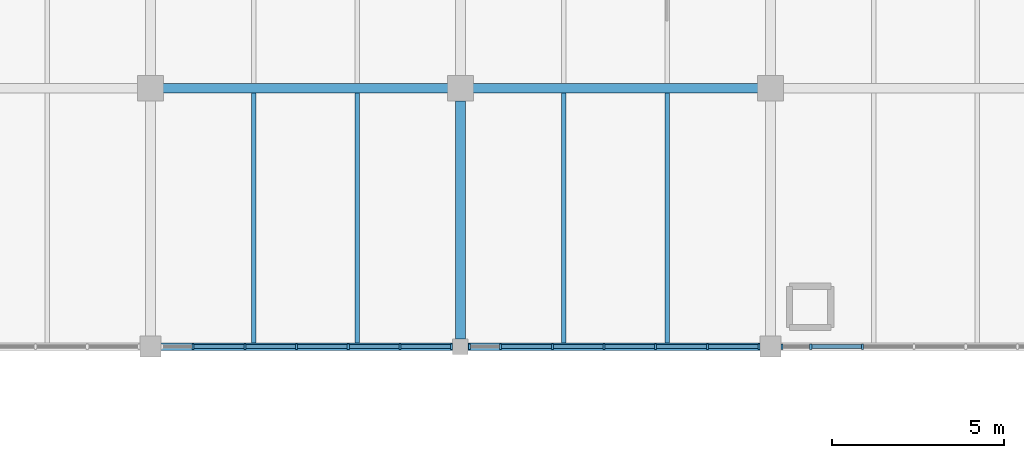
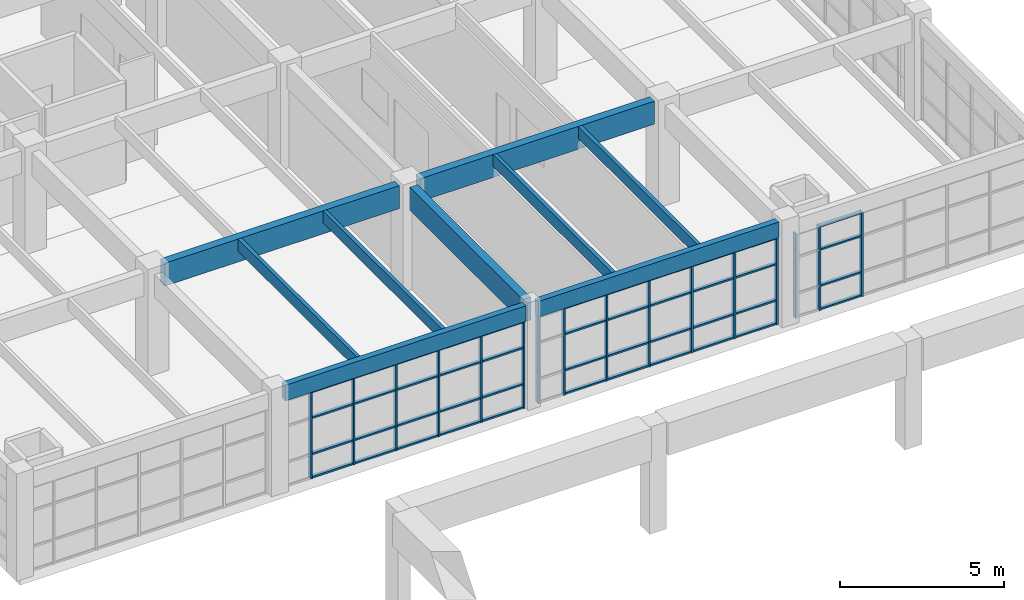
# One storey, part 23 of 76: 60 members, 9 beams, 3 elements without a shape of their own.
"""IFC4 building model written with IfcOpenShell, lengths in metres."""

from ifc_helpers import new_model, si_unit, direction, frame, origin, origin_2d, place, context, subcontext, project, spatial, rectangle, extrude, material, layer, layer_set, material_profile, profile_set, type_object, element, aggregate, save


model = new_model("IFC4")

# Units and contexts
model_context = context("Model", 3, precision=1e-05, world=origin(), true_north=direction((0.0, 1.0)))
body_context = subcontext(model_context, "Body", "Model", "MODEL_VIEW")
ifc_project = project(units=[si_unit("LENGTHUNIT", "METRE"), si_unit("AREAUNIT", "SQUARE_METRE"), si_unit("VOLUMEUNIT", "CUBIC_METRE"), si_unit("PLANEANGLEUNIT", "RADIAN"), si_unit("MASSUNIT", "GRAM", prefix="KILO")], contexts=[model_context])

# Site, building, storey
site_placement = place(None, origin())
site = spatial("IfcSite", under=ifc_project, at=site_placement, CompositionType="ELEMENT")
building_placement = place(site_placement, origin())
building = spatial("IfcBuilding", under=site, at=building_placement, Name="Marnridge Secondary College", CompositionType="ELEMENT")
storey_placement = place(building_placement, frame((0.0, 0.0, 4.5)))
storey = spatial("IfcBuildingStorey", under=building, at=storey_placement, Name="L01", CompositionType="ELEMENT", Elevation=4.5)

# Beams
ifc_material_1 = material(Name="Glulam timber GL18", Category="wood")
ifc_material_profile_1 = material_profile(ifc_material_1, rectangle(XDim=0.215087890625, YDim=0.5849609375, at=origin_2d()), Name="GL18 215x585")
ifc_profile_set_1 = profile_set([ifc_material_profile_1], Name="Glulam timber GL18")
beam_type_1 = type_object("IfcBeamType", Name="BM-GL585-EXT", PredefinedType="SPANDREL", material=ifc_profile_set_1)
for number, where, z_axis, x_axis, name in (
    (1, (63.2939453125, 37.5, 3.547607421875), (1.0, 0.0, 0.0), (0.0, 1.0, 0.0), "Beam BS-L01-0468"),
    (2, (72.218994140625, 37.5, 3.547607421875), (1.0, 0.0, 0.0), (0.0, 1.0, 0.0), "Beam BS-L01-0472"),
):
    element("IfcBeam", number, at=place(storey_placement, frame(where, z_axis=z_axis, x_axis=x_axis)), inside=storey, type_object=beam_type_1, Name=name, PredefinedType="SPANDREL", context=body_context, shape_type="SweptSolid", body=[
        extrude(rectangle(XDim=0.215087890625, YDim=0.5849609375, at=origin_2d()), origin(), (0.0, 0.0, 1.0), 8.487060546875),
    ])
ifc_material_2 = material(Name="Glulam timber GL18", Category="wood")
ifc_material_profile_2 = material_profile(ifc_material_2, rectangle(XDim=0.280029296875, YDim=0.85498046875, at=origin_2d()), Name="GL18 280x855")
ifc_profile_set_2 = profile_set([ifc_material_profile_2], Name="Glulam timber GL18")
beam_type_2 = type_object("IfcBeamType", Name="BM-GL855-INT", PredefinedType="BEAM", material=ifc_profile_set_2)
beam_1_placement = place(storey_placement, frame((63.368896484375, 45.0, 3.41259765625), z_axis=(1.0, 0.0, 0.0), x_axis=(0.0, 1.0, 0.0)))
element("IfcBeam", 3, at=beam_1_placement, inside=storey, type_object=beam_type_2, Name="Beam B-L01-0469", PredefinedType="BEAM", context=body_context, shape_type="SweptSolid", body=[
    extrude(rectangle(XDim=0.280029296875, YDim=0.85498046875, at=origin_2d()), origin(), (0.0, 0.0, 1.0), 8.26220703125),
])
beam_2_placement = place(storey_placement, frame((72.0, 37.718994140625, 3.41259765625), z_axis=(0.0, 1.0, 0.0), x_axis=(-1.0, 0.0, 0.0)))
element("IfcBeam", 4, at=beam_2_placement, inside=storey, type_object=beam_type_2, Name="Beam B-L01-0470", PredefinedType="BEAM", context=body_context, shape_type="SweptSolid", body=[
    extrude(rectangle(XDim=0.280029296875, YDim=0.85498046875, at=origin_2d()), origin(), (0.0, 0.0, 1.0), 6.912109375),
])
beam_3_placement = place(storey_placement, frame((72.368896484375, 45.0, 3.41259765625), z_axis=(1.0, 0.0, 0.0), x_axis=(0.0, 1.0, 0.0)))
element("IfcBeam", 5, at=beam_3_placement, inside=storey, type_object=beam_type_2, Name="Beam B-L01-0473", PredefinedType="BEAM", context=body_context, shape_type="SweptSolid", body=[
    extrude(rectangle(XDim=0.280029296875, YDim=0.85498046875, at=origin_2d()), origin(), (0.0, 0.0, 1.0), 8.26220703125),
])
ifc_material_3 = material(Name="Engineered timber LVL E13.2", Category="wood")
ifc_material_profile_3 = material_profile(ifc_material_3, rectangle(XDim=0.1259765625, YDim=0.449951171875, at=origin_2d()), Name="LVL 126x450")
ifc_profile_set_3 = profile_set([ifc_material_profile_3], Name="Engineered timber LVL E13.2")
beam_type_3 = type_object("IfcBeamType", Name="BM-LVL450-INT", PredefinedType="JOIST", material=ifc_profile_set_3)
for number, where, z_axis, x_axis, name in (
    (6, (66.0, 37.6015625, 3.614990234375), (0.0, 1.0, 0.0), (-1.0, 0.0, 0.0), "Beam BJ-L01-0509"),
    (7, (69.0, 37.6015625, 3.614990234375), (0.0, 1.0, 0.0), (-1.0, 0.0, 0.0), "Beam BJ-L01-0510"),
    (8, (75.0, 37.6015625, 3.614990234375), (0.0, 1.0, 0.0), (-1.0, 0.0, 0.0), "Beam BJ-L01-0513"),
    (9, (78.0, 37.6015625, 3.614990234375), (0.0, 1.0, 0.0), (-1.0, 0.0, 0.0), "Beam BJ-L01-0514"),
):
    element("IfcBeam", number, at=place(storey_placement, frame(where, z_axis=z_axis, x_axis=x_axis)), inside=storey, type_object=beam_type_3, Name=name, PredefinedType="JOIST", context=body_context, shape_type="SweptSolid", body=[
        extrude(rectangle(XDim=0.1259765625, YDim=0.449951171875, at=origin_2d()), origin(), (0.0, 0.0, 1.0), 7.264404296875),
    ])

# Curtain wall, members
ifc_material_4 = material(Name="Thermally broken aluminium and low-E glazing", Category="aluminium")
ifc_layer = layer(ifc_material_4, 0.159912109375)
ifc_layer_set = layer_set([ifc_layer], Name="CW-MOD-1500")
curtain_wall_type = type_object("IfcCurtainWallType", Name="CW-MOD-1500", PredefinedType="NOTDEFINED", material=ifc_layer_set)
curtain_wall_1_placement = place(storey_placement, origin())
curtain_wall_1 = element("IfcCurtainWall", 10, at=curtain_wall_1_placement, inside=storey, type_object=curtain_wall_type, Name="Unitised curtain wall CW-L01-035", PredefinedType="NOTDEFINED")
ifc_material_5 = material(Name="Anodised aluminium 6063-T6", Category="aluminium")
ifc_material_profile_4 = material_profile(ifc_material_5, rectangle(XDim=0.06005859375, YDim=0.159912109375, at=origin_2d()), Name="ALU 60x160")
ifc_profile_set_4 = profile_set([ifc_material_profile_4], Name="Anodised aluminium 6063-T6")
member_type_1 = type_object("IfcMemberType", Name="CWM-ALU160", PredefinedType="MULLION", material=ifc_profile_set_4)
member_1_placement = place(storey_placement, frame((83.666015625, 37.5, 0.0), z_axis=(0.0, 0.0, 1.0), x_axis=(-1.0, 0.0, 0.0)))
member_1 = element("IfcMember", 11, at=member_1_placement, type_object=member_type_1, Name="CW-L01-035 mullion 5", PredefinedType="MULLION", context=body_context, shape_type="SweptSolid", body=[
    extrude(rectangle(XDim=0.06005859375, YDim=0.159912109375, at=origin_2d()), origin(), (0.0, 0.0, 1.0), 3.14697265625),
])
member_2_placement = place(storey_placement, frame((82.166015625, 37.5, 0.0), z_axis=(0.0, 0.0, 1.0), x_axis=(-1.0, 0.0, 0.0)))
member_2 = element("IfcMember", 12, at=member_2_placement, type_object=member_type_1, Name="CW-L01-035 mullion 6", PredefinedType="MULLION", context=body_context, shape_type="SweptSolid", body=[
    extrude(rectangle(XDim=0.06005859375, YDim=0.159912109375, at=origin_2d()), origin(), (0.0, 0.0, 1.0), 3.14697265625),
])
member_3_placement = place(storey_placement, frame((81.333984375, 37.5, 0.0), z_axis=(0.0, 0.0, 1.0), x_axis=(-1.0, 0.0, 0.0)))
member_3 = element("IfcMember", 13, at=member_3_placement, type_object=member_type_1, Name="CW-L01-035 mullion 7", PredefinedType="MULLION", context=body_context, shape_type="SweptSolid", body=[
    extrude(rectangle(XDim=0.06005859375, YDim=0.159912109375, at=origin_2d()), origin(), (0.0, 0.0, 1.0), 3.14697265625),
])

curtain_wall_2_placement = place(storey_placement, origin())
curtain_wall_2 = element("IfcCurtainWall", 14, at=curtain_wall_2_placement, inside=storey, type_object=curtain_wall_type, Name="Unitised curtain wall CW-L01-036", PredefinedType="NOTDEFINED")
member_4_placement = place(storey_placement, frame((80.666015625, 37.5, 0.0), z_axis=(0.0, 0.0, 1.0), x_axis=(-1.0, 0.0, 0.0)))
member_4 = element("IfcMember", 15, at=member_4_placement, type_object=member_type_1, Name="CW-L01-036 mullion 1", PredefinedType="MULLION", context=body_context, shape_type="SweptSolid", body=[
    extrude(rectangle(XDim=0.06005859375, YDim=0.159912109375, at=origin_2d()), origin(), (0.0, 0.0, 1.0), 3.2470703125),
])
member_5_placement = place(storey_placement, frame((79.166015625, 37.5, 0.0), z_axis=(0.0, 0.0, 1.0), x_axis=(-1.0, 0.0, 0.0)))
member_5 = element("IfcMember", 16, at=member_5_placement, type_object=member_type_1, Name="CW-L01-036 mullion 2", PredefinedType="MULLION", context=body_context, shape_type="SweptSolid", body=[
    extrude(rectangle(XDim=0.06005859375, YDim=0.159912109375, at=origin_2d()), origin(), (0.0, 0.0, 1.0), 3.2470703125),
])
member_6_placement = place(storey_placement, frame((77.666015625, 37.5, 0.0), z_axis=(0.0, 0.0, 1.0), x_axis=(-1.0, 0.0, 0.0)))
member_6 = element("IfcMember", 17, at=member_6_placement, type_object=member_type_1, Name="CW-L01-036 mullion 3", PredefinedType="MULLION", context=body_context, shape_type="SweptSolid", body=[
    extrude(rectangle(XDim=0.06005859375, YDim=0.159912109375, at=origin_2d()), origin(), (0.0, 0.0, 1.0), 3.2470703125),
])
member_7_placement = place(storey_placement, frame((76.166015625, 37.5, 0.0), z_axis=(0.0, 0.0, 1.0), x_axis=(-1.0, 0.0, 0.0)))
member_7 = element("IfcMember", 18, at=member_7_placement, type_object=member_type_1, Name="CW-L01-036 mullion 4", PredefinedType="MULLION", context=body_context, shape_type="SweptSolid", body=[
    extrude(rectangle(XDim=0.06005859375, YDim=0.159912109375, at=origin_2d()), origin(), (0.0, 0.0, 1.0), 3.2470703125),
])
member_8_placement = place(storey_placement, frame((74.666015625, 37.5, 0.0), z_axis=(0.0, 0.0, 1.0), x_axis=(-1.0, 0.0, 0.0)))
member_8 = element("IfcMember", 19, at=member_8_placement, type_object=member_type_1, Name="CW-L01-036 mullion 5", PredefinedType="MULLION", context=body_context, shape_type="SweptSolid", body=[
    extrude(rectangle(XDim=0.06005859375, YDim=0.159912109375, at=origin_2d()), origin(), (0.0, 0.0, 1.0), 3.2470703125),
])
member_9_placement = place(storey_placement, frame((73.166015625, 37.5, 0.0), z_axis=(0.0, 0.0, 1.0), x_axis=(-1.0, 0.0, 0.0)))
member_9 = element("IfcMember", 20, at=member_9_placement, type_object=member_type_1, Name="CW-L01-036 mullion 6", PredefinedType="MULLION", context=body_context, shape_type="SweptSolid", body=[
    extrude(rectangle(XDim=0.06005859375, YDim=0.159912109375, at=origin_2d()), origin(), (0.0, 0.0, 1.0), 3.2470703125),
])
member_10_placement = place(storey_placement, frame((72.259033203125, 37.5, 0.0), z_axis=(0.0, 0.0, 1.0), x_axis=(-1.0, 0.0, 0.0)))
member_10 = element("IfcMember", 21, at=member_10_placement, type_object=member_type_1, Name="CW-L01-036 mullion 7", PredefinedType="MULLION", context=body_context, shape_type="SweptSolid", body=[
    extrude(rectangle(XDim=0.06005859375, YDim=0.159912109375, at=origin_2d()), origin(), (0.0, 0.0, 1.0), 3.2470703125),
])

curtain_wall_3_placement = place(storey_placement, origin())
curtain_wall_3 = element("IfcCurtainWall", 22, at=curtain_wall_3_placement, inside=storey, type_object=curtain_wall_type, Name="Unitised curtain wall CW-L01-037", PredefinedType="NOTDEFINED")
member_11_placement = place(storey_placement, frame((71.740966796875, 37.5, 0.0), z_axis=(0.0, 0.0, 1.0), x_axis=(-1.0, 0.0, 0.0)))
member_11 = element("IfcMember", 23, at=member_11_placement, type_object=member_type_1, Name="CW-L01-037 mullion 1", PredefinedType="MULLION", context=body_context, shape_type="SweptSolid", body=[
    extrude(rectangle(XDim=0.06005859375, YDim=0.159912109375, at=origin_2d()), origin(), (0.0, 0.0, 1.0), 3.2470703125),
])
member_12_placement = place(storey_placement, frame((70.240966796875, 37.5, 0.0), z_axis=(0.0, 0.0, 1.0), x_axis=(-1.0, 0.0, 0.0)))
member_12 = element("IfcMember", 24, at=member_12_placement, type_object=member_type_1, Name="CW-L01-037 mullion 2", PredefinedType="MULLION", context=body_context, shape_type="SweptSolid", body=[
    extrude(rectangle(XDim=0.06005859375, YDim=0.159912109375, at=origin_2d()), origin(), (0.0, 0.0, 1.0), 3.2470703125),
])
member_13_placement = place(storey_placement, frame((68.740966796875, 37.5, 0.0), z_axis=(0.0, 0.0, 1.0), x_axis=(-1.0, 0.0, 0.0)))
member_13 = element("IfcMember", 25, at=member_13_placement, type_object=member_type_1, Name="CW-L01-037 mullion 3", PredefinedType="MULLION", context=body_context, shape_type="SweptSolid", body=[
    extrude(rectangle(XDim=0.06005859375, YDim=0.159912109375, at=origin_2d()), origin(), (0.0, 0.0, 1.0), 3.2470703125),
])
member_14_placement = place(storey_placement, frame((67.240966796875, 37.5, 0.0), z_axis=(0.0, 0.0, 1.0), x_axis=(-1.0, 0.0, 0.0)))
member_14 = element("IfcMember", 26, at=member_14_placement, type_object=member_type_1, Name="CW-L01-037 mullion 4", PredefinedType="MULLION", context=body_context, shape_type="SweptSolid", body=[
    extrude(rectangle(XDim=0.06005859375, YDim=0.159912109375, at=origin_2d()), origin(), (0.0, 0.0, 1.0), 3.2470703125),
])
member_15_placement = place(storey_placement, frame((65.740966796875, 37.5, 0.0), z_axis=(0.0, 0.0, 1.0), x_axis=(-1.0, 0.0, 0.0)))
member_15 = element("IfcMember", 27, at=member_15_placement, type_object=member_type_1, Name="CW-L01-037 mullion 5", PredefinedType="MULLION", context=body_context, shape_type="SweptSolid", body=[
    extrude(rectangle(XDim=0.06005859375, YDim=0.159912109375, at=origin_2d()), origin(), (0.0, 0.0, 1.0), 3.2470703125),
])
member_16_placement = place(storey_placement, frame((64.240966796875, 37.5, 0.0), z_axis=(0.0, 0.0, 1.0), x_axis=(-1.0, 0.0, 0.0)))
member_16 = element("IfcMember", 28, at=member_16_placement, type_object=member_type_1, Name="CW-L01-037 mullion 6", PredefinedType="MULLION", context=body_context, shape_type="SweptSolid", body=[
    extrude(rectangle(XDim=0.06005859375, YDim=0.159912109375, at=origin_2d()), origin(), (0.0, 0.0, 1.0), 3.2470703125),
])

# Member
ifc_material_6 = material(Name="Anodised aluminium 6063-T6", Category="aluminium")
ifc_material_profile_5 = material_profile(ifc_material_6, rectangle(XDim=0.06005859375, YDim=0.1201171875, at=origin_2d()), Name="ALU 60x120")
ifc_profile_set_5 = profile_set([ifc_material_profile_5], Name="Anodised aluminium 6063-T6")
member_type_2 = type_object("IfcMemberType", Name="CWT-ALU120", PredefinedType="USERDEFINED", material=ifc_profile_set_5)
member_17_placement = place(storey_placement, frame((83.635986328125, 37.5, 0.030029296875), z_axis=(-1.0, 0.0, 0.0), x_axis=(0.0, 0.0, 1.0)))
member_17 = element("IfcMember", 29, at=member_17_placement, type_object=member_type_2, Name="CW-L01-035 transom 5.1", ObjectType="TRANSOM", PredefinedType="USERDEFINED", context=body_context, shape_type="SweptSolid", body=[
    extrude(rectangle(XDim=0.06005859375, YDim=0.1201171875, at=origin_2d()), origin(), (0.0, 0.0, 1.0), 1.43994140625),
])

member_18_placement = place(storey_placement, frame((83.635986328125, 37.5, 0.89990234375), z_axis=(-1.0, 0.0, 0.0), x_axis=(0.0, 0.0, 1.0)))
member_18 = element("IfcMember", 30, at=member_18_placement, type_object=member_type_2, Name="CW-L01-035 transom 5.2", ObjectType="TRANSOM", PredefinedType="USERDEFINED", context=body_context, shape_type="SweptSolid", body=[
    extrude(rectangle(XDim=0.06005859375, YDim=0.1201171875, at=origin_2d()), origin(), (0.0, 0.0, 1.0), 1.43994140625),
])

member_19_placement = place(storey_placement, frame((83.635986328125, 37.5, 2.25), z_axis=(-1.0, 0.0, 0.0), x_axis=(0.0, 0.0, 1.0)))
member_19 = element("IfcMember", 31, at=member_19_placement, type_object=member_type_2, Name="CW-L01-035 transom 5.3", ObjectType="TRANSOM", PredefinedType="USERDEFINED", context=body_context, shape_type="SweptSolid", body=[
    extrude(rectangle(XDim=0.06005859375, YDim=0.1201171875, at=origin_2d()), origin(), (0.0, 0.0, 1.0), 1.43994140625),
])

member_20_placement = place(storey_placement, frame((83.635986328125, 37.5, 3.116943359375), z_axis=(-1.0, 0.0, 0.0), x_axis=(0.0, 0.0, 1.0)))
member_20 = element("IfcMember", 32, at=member_20_placement, type_object=member_type_2, Name="CW-L01-035 transom 5.4", ObjectType="TRANSOM", PredefinedType="USERDEFINED", context=body_context, shape_type="SweptSolid", body=[
    extrude(rectangle(XDim=0.06005859375, YDim=0.1201171875, at=origin_2d()), origin(), (0.0, 0.0, 1.0), 1.43994140625),
])

aggregate(curtain_wall_1, [member_1, member_2, member_3, member_17, member_18, member_19, member_20])

member_21_placement = place(storey_placement, frame((80.635986328125, 37.5, 0.030029296875), z_axis=(-1.0, 0.0, 0.0), x_axis=(0.0, 0.0, 1.0)))
member_21 = element("IfcMember", 33, at=member_21_placement, type_object=member_type_2, Name="CW-L01-036 transom 1.1", ObjectType="TRANSOM", PredefinedType="USERDEFINED", context=body_context, shape_type="SweptSolid", body=[
    extrude(rectangle(XDim=0.06005859375, YDim=0.1201171875, at=origin_2d()), origin(), (0.0, 0.0, 1.0), 1.43994140625),
])

member_22_placement = place(storey_placement, frame((80.635986328125, 37.5, 0.89990234375), z_axis=(-1.0, 0.0, 0.0), x_axis=(0.0, 0.0, 1.0)))
member_22 = element("IfcMember", 34, at=member_22_placement, type_object=member_type_2, Name="CW-L01-036 transom 1.2", ObjectType="TRANSOM", PredefinedType="USERDEFINED", context=body_context, shape_type="SweptSolid", body=[
    extrude(rectangle(XDim=0.06005859375, YDim=0.1201171875, at=origin_2d()), origin(), (0.0, 0.0, 1.0), 1.43994140625),
])

member_23_placement = place(storey_placement, frame((80.635986328125, 37.5, 2.25), z_axis=(-1.0, 0.0, 0.0), x_axis=(0.0, 0.0, 1.0)))
member_23 = element("IfcMember", 35, at=member_23_placement, type_object=member_type_2, Name="CW-L01-036 transom 1.3", ObjectType="TRANSOM", PredefinedType="USERDEFINED", context=body_context, shape_type="SweptSolid", body=[
    extrude(rectangle(XDim=0.06005859375, YDim=0.1201171875, at=origin_2d()), origin(), (0.0, 0.0, 1.0), 1.43994140625),
])

member_24_placement = place(storey_placement, frame((80.635986328125, 37.5, 3.217041015625), z_axis=(-1.0, 0.0, 0.0), x_axis=(0.0, 0.0, 1.0)))
member_24 = element("IfcMember", 36, at=member_24_placement, type_object=member_type_2, Name="CW-L01-036 transom 1.4", ObjectType="TRANSOM", PredefinedType="USERDEFINED", context=body_context, shape_type="SweptSolid", body=[
    extrude(rectangle(XDim=0.06005859375, YDim=0.1201171875, at=origin_2d()), origin(), (0.0, 0.0, 1.0), 1.43994140625),
])

member_25_placement = place(storey_placement, frame((79.135986328125, 37.5, 0.030029296875), z_axis=(-1.0, 0.0, 0.0), x_axis=(0.0, 0.0, 1.0)))
member_25 = element("IfcMember", 37, at=member_25_placement, type_object=member_type_2, Name="CW-L01-036 transom 2.1", ObjectType="TRANSOM", PredefinedType="USERDEFINED", context=body_context, shape_type="SweptSolid", body=[
    extrude(rectangle(XDim=0.06005859375, YDim=0.1201171875, at=origin_2d()), origin(), (0.0, 0.0, 1.0), 1.43994140625),
])

member_26_placement = place(storey_placement, frame((79.135986328125, 37.5, 0.89990234375), z_axis=(-1.0, 0.0, 0.0), x_axis=(0.0, 0.0, 1.0)))
member_26 = element("IfcMember", 38, at=member_26_placement, type_object=member_type_2, Name="CW-L01-036 transom 2.2", ObjectType="TRANSOM", PredefinedType="USERDEFINED", context=body_context, shape_type="SweptSolid", body=[
    extrude(rectangle(XDim=0.06005859375, YDim=0.1201171875, at=origin_2d()), origin(), (0.0, 0.0, 1.0), 1.43994140625),
])

member_27_placement = place(storey_placement, frame((79.135986328125, 37.5, 2.25), z_axis=(-1.0, 0.0, 0.0), x_axis=(0.0, 0.0, 1.0)))
member_27 = element("IfcMember", 39, at=member_27_placement, type_object=member_type_2, Name="CW-L01-036 transom 2.3", ObjectType="TRANSOM", PredefinedType="USERDEFINED", context=body_context, shape_type="SweptSolid", body=[
    extrude(rectangle(XDim=0.06005859375, YDim=0.1201171875, at=origin_2d()), origin(), (0.0, 0.0, 1.0), 1.43994140625),
])

member_28_placement = place(storey_placement, frame((79.135986328125, 37.5, 3.217041015625), z_axis=(-1.0, 0.0, 0.0), x_axis=(0.0, 0.0, 1.0)))
member_28 = element("IfcMember", 40, at=member_28_placement, type_object=member_type_2, Name="CW-L01-036 transom 2.4", ObjectType="TRANSOM", PredefinedType="USERDEFINED", context=body_context, shape_type="SweptSolid", body=[
    extrude(rectangle(XDim=0.06005859375, YDim=0.1201171875, at=origin_2d()), origin(), (0.0, 0.0, 1.0), 1.43994140625),
])

member_29_placement = place(storey_placement, frame((77.635986328125, 37.5, 0.030029296875), z_axis=(-1.0, 0.0, 0.0), x_axis=(0.0, 0.0, 1.0)))
member_29 = element("IfcMember", 41, at=member_29_placement, type_object=member_type_2, Name="CW-L01-036 transom 3.1", ObjectType="TRANSOM", PredefinedType="USERDEFINED", context=body_context, shape_type="SweptSolid", body=[
    extrude(rectangle(XDim=0.06005859375, YDim=0.1201171875, at=origin_2d()), origin(), (0.0, 0.0, 1.0), 1.43994140625),
])

member_30_placement = place(storey_placement, frame((77.635986328125, 37.5, 0.89990234375), z_axis=(-1.0, 0.0, 0.0), x_axis=(0.0, 0.0, 1.0)))
member_30 = element("IfcMember", 42, at=member_30_placement, type_object=member_type_2, Name="CW-L01-036 transom 3.2", ObjectType="TRANSOM", PredefinedType="USERDEFINED", context=body_context, shape_type="SweptSolid", body=[
    extrude(rectangle(XDim=0.06005859375, YDim=0.1201171875, at=origin_2d()), origin(), (0.0, 0.0, 1.0), 1.43994140625),
])

member_31_placement = place(storey_placement, frame((77.635986328125, 37.5, 2.25), z_axis=(-1.0, 0.0, 0.0), x_axis=(0.0, 0.0, 1.0)))
member_31 = element("IfcMember", 43, at=member_31_placement, type_object=member_type_2, Name="CW-L01-036 transom 3.3", ObjectType="TRANSOM", PredefinedType="USERDEFINED", context=body_context, shape_type="SweptSolid", body=[
    extrude(rectangle(XDim=0.06005859375, YDim=0.1201171875, at=origin_2d()), origin(), (0.0, 0.0, 1.0), 1.43994140625),
])

member_32_placement = place(storey_placement, frame((77.635986328125, 37.5, 3.217041015625), z_axis=(-1.0, 0.0, 0.0), x_axis=(0.0, 0.0, 1.0)))
member_32 = element("IfcMember", 44, at=member_32_placement, type_object=member_type_2, Name="CW-L01-036 transom 3.4", ObjectType="TRANSOM", PredefinedType="USERDEFINED", context=body_context, shape_type="SweptSolid", body=[
    extrude(rectangle(XDim=0.06005859375, YDim=0.1201171875, at=origin_2d()), origin(), (0.0, 0.0, 1.0), 1.43994140625),
])

member_33_placement = place(storey_placement, frame((76.135986328125, 37.5, 0.030029296875), z_axis=(-1.0, 0.0, 0.0), x_axis=(0.0, 0.0, 1.0)))
member_33 = element("IfcMember", 45, at=member_33_placement, type_object=member_type_2, Name="CW-L01-036 transom 4.1", ObjectType="TRANSOM", PredefinedType="USERDEFINED", context=body_context, shape_type="SweptSolid", body=[
    extrude(rectangle(XDim=0.06005859375, YDim=0.1201171875, at=origin_2d()), origin(), (0.0, 0.0, 1.0), 1.43994140625),
])

member_34_placement = place(storey_placement, frame((76.135986328125, 37.5, 0.89990234375), z_axis=(-1.0, 0.0, 0.0), x_axis=(0.0, 0.0, 1.0)))
member_34 = element("IfcMember", 46, at=member_34_placement, type_object=member_type_2, Name="CW-L01-036 transom 4.2", ObjectType="TRANSOM", PredefinedType="USERDEFINED", context=body_context, shape_type="SweptSolid", body=[
    extrude(rectangle(XDim=0.06005859375, YDim=0.1201171875, at=origin_2d()), origin(), (0.0, 0.0, 1.0), 1.43994140625),
])

member_35_placement = place(storey_placement, frame((76.135986328125, 37.5, 2.25), z_axis=(-1.0, 0.0, 0.0), x_axis=(0.0, 0.0, 1.0)))
member_35 = element("IfcMember", 47, at=member_35_placement, type_object=member_type_2, Name="CW-L01-036 transom 4.3", ObjectType="TRANSOM", PredefinedType="USERDEFINED", context=body_context, shape_type="SweptSolid", body=[
    extrude(rectangle(XDim=0.06005859375, YDim=0.1201171875, at=origin_2d()), origin(), (0.0, 0.0, 1.0), 1.43994140625),
])

member_36_placement = place(storey_placement, frame((76.135986328125, 37.5, 3.217041015625), z_axis=(-1.0, 0.0, 0.0), x_axis=(0.0, 0.0, 1.0)))
member_36 = element("IfcMember", 48, at=member_36_placement, type_object=member_type_2, Name="CW-L01-036 transom 4.4", ObjectType="TRANSOM", PredefinedType="USERDEFINED", context=body_context, shape_type="SweptSolid", body=[
    extrude(rectangle(XDim=0.06005859375, YDim=0.1201171875, at=origin_2d()), origin(), (0.0, 0.0, 1.0), 1.43994140625),
])

member_37_placement = place(storey_placement, frame((74.635986328125, 37.5, 0.030029296875), z_axis=(-1.0, 0.0, 0.0), x_axis=(0.0, 0.0, 1.0)))
member_37 = element("IfcMember", 49, at=member_37_placement, type_object=member_type_2, Name="CW-L01-036 transom 5.1", ObjectType="TRANSOM", PredefinedType="USERDEFINED", context=body_context, shape_type="SweptSolid", body=[
    extrude(rectangle(XDim=0.06005859375, YDim=0.1201171875, at=origin_2d()), origin(), (0.0, 0.0, 1.0), 1.43994140625),
])

member_38_placement = place(storey_placement, frame((74.635986328125, 37.5, 0.89990234375), z_axis=(-1.0, 0.0, 0.0), x_axis=(0.0, 0.0, 1.0)))
member_38 = element("IfcMember", 50, at=member_38_placement, type_object=member_type_2, Name="CW-L01-036 transom 5.2", ObjectType="TRANSOM", PredefinedType="USERDEFINED", context=body_context, shape_type="SweptSolid", body=[
    extrude(rectangle(XDim=0.06005859375, YDim=0.1201171875, at=origin_2d()), origin(), (0.0, 0.0, 1.0), 1.43994140625),
])

member_39_placement = place(storey_placement, frame((74.635986328125, 37.5, 2.25), z_axis=(-1.0, 0.0, 0.0), x_axis=(0.0, 0.0, 1.0)))
member_39 = element("IfcMember", 51, at=member_39_placement, type_object=member_type_2, Name="CW-L01-036 transom 5.3", ObjectType="TRANSOM", PredefinedType="USERDEFINED", context=body_context, shape_type="SweptSolid", body=[
    extrude(rectangle(XDim=0.06005859375, YDim=0.1201171875, at=origin_2d()), origin(), (0.0, 0.0, 1.0), 1.43994140625),
])

member_40_placement = place(storey_placement, frame((74.635986328125, 37.5, 3.217041015625), z_axis=(-1.0, 0.0, 0.0), x_axis=(0.0, 0.0, 1.0)))
member_40 = element("IfcMember", 52, at=member_40_placement, type_object=member_type_2, Name="CW-L01-036 transom 5.4", ObjectType="TRANSOM", PredefinedType="USERDEFINED", context=body_context, shape_type="SweptSolid", body=[
    extrude(rectangle(XDim=0.06005859375, YDim=0.1201171875, at=origin_2d()), origin(), (0.0, 0.0, 1.0), 1.43994140625),
])

aggregate(curtain_wall_2, [member_4, member_5, member_6, member_7, member_8, member_9, member_10, member_21, member_22, member_23, member_24, member_25, member_26, member_27, member_28, member_29, member_30, member_31, member_32, member_33, member_34, member_35, member_36, member_37, member_38, member_39, member_40])

member_41_placement = place(storey_placement, frame((71.7109375, 37.5, 0.030029296875), z_axis=(-1.0, 0.0, 0.0), x_axis=(0.0, 0.0, 1.0)))
member_41 = element("IfcMember", 53, at=member_41_placement, type_object=member_type_2, Name="CW-L01-037 transom 1.1", ObjectType="TRANSOM", PredefinedType="USERDEFINED", context=body_context, shape_type="SweptSolid", body=[
    extrude(rectangle(XDim=0.06005859375, YDim=0.1201171875, at=origin_2d()), origin(), (0.0, 0.0, 1.0), 1.43994140625),
])

member_42_placement = place(storey_placement, frame((71.7109375, 37.5, 0.89990234375), z_axis=(-1.0, 0.0, 0.0), x_axis=(0.0, 0.0, 1.0)))
member_42 = element("IfcMember", 54, at=member_42_placement, type_object=member_type_2, Name="CW-L01-037 transom 1.2", ObjectType="TRANSOM", PredefinedType="USERDEFINED", context=body_context, shape_type="SweptSolid", body=[
    extrude(rectangle(XDim=0.06005859375, YDim=0.1201171875, at=origin_2d()), origin(), (0.0, 0.0, 1.0), 1.43994140625),
])

member_43_placement = place(storey_placement, frame((71.7109375, 37.5, 2.25), z_axis=(-1.0, 0.0, 0.0), x_axis=(0.0, 0.0, 1.0)))
member_43 = element("IfcMember", 55, at=member_43_placement, type_object=member_type_2, Name="CW-L01-037 transom 1.3", ObjectType="TRANSOM", PredefinedType="USERDEFINED", context=body_context, shape_type="SweptSolid", body=[
    extrude(rectangle(XDim=0.06005859375, YDim=0.1201171875, at=origin_2d()), origin(), (0.0, 0.0, 1.0), 1.43994140625),
])

member_44_placement = place(storey_placement, frame((71.7109375, 37.5, 3.217041015625), z_axis=(-1.0, 0.0, 0.0), x_axis=(0.0, 0.0, 1.0)))
member_44 = element("IfcMember", 56, at=member_44_placement, type_object=member_type_2, Name="CW-L01-037 transom 1.4", ObjectType="TRANSOM", PredefinedType="USERDEFINED", context=body_context, shape_type="SweptSolid", body=[
    extrude(rectangle(XDim=0.06005859375, YDim=0.1201171875, at=origin_2d()), origin(), (0.0, 0.0, 1.0), 1.43994140625),
])

member_45_placement = place(storey_placement, frame((70.2109375, 37.5, 0.030029296875), z_axis=(-1.0, 0.0, 0.0), x_axis=(0.0, 0.0, 1.0)))
member_45 = element("IfcMember", 57, at=member_45_placement, type_object=member_type_2, Name="CW-L01-037 transom 2.1", ObjectType="TRANSOM", PredefinedType="USERDEFINED", context=body_context, shape_type="SweptSolid", body=[
    extrude(rectangle(XDim=0.06005859375, YDim=0.1201171875, at=origin_2d()), origin(), (0.0, 0.0, 1.0), 1.43994140625),
])

member_46_placement = place(storey_placement, frame((70.2109375, 37.5, 0.89990234375), z_axis=(-1.0, 0.0, 0.0), x_axis=(0.0, 0.0, 1.0)))
member_46 = element("IfcMember", 58, at=member_46_placement, type_object=member_type_2, Name="CW-L01-037 transom 2.2", ObjectType="TRANSOM", PredefinedType="USERDEFINED", context=body_context, shape_type="SweptSolid", body=[
    extrude(rectangle(XDim=0.06005859375, YDim=0.1201171875, at=origin_2d()), origin(), (0.0, 0.0, 1.0), 1.43994140625),
])

member_47_placement = place(storey_placement, frame((70.2109375, 37.5, 2.25), z_axis=(-1.0, 0.0, 0.0), x_axis=(0.0, 0.0, 1.0)))
member_47 = element("IfcMember", 59, at=member_47_placement, type_object=member_type_2, Name="CW-L01-037 transom 2.3", ObjectType="TRANSOM", PredefinedType="USERDEFINED", context=body_context, shape_type="SweptSolid", body=[
    extrude(rectangle(XDim=0.06005859375, YDim=0.1201171875, at=origin_2d()), origin(), (0.0, 0.0, 1.0), 1.43994140625),
])

member_48_placement = place(storey_placement, frame((70.2109375, 37.5, 3.217041015625), z_axis=(-1.0, 0.0, 0.0), x_axis=(0.0, 0.0, 1.0)))
member_48 = element("IfcMember", 60, at=member_48_placement, type_object=member_type_2, Name="CW-L01-037 transom 2.4", ObjectType="TRANSOM", PredefinedType="USERDEFINED", context=body_context, shape_type="SweptSolid", body=[
    extrude(rectangle(XDim=0.06005859375, YDim=0.1201171875, at=origin_2d()), origin(), (0.0, 0.0, 1.0), 1.43994140625),
])

member_49_placement = place(storey_placement, frame((68.7109375, 37.5, 0.030029296875), z_axis=(-1.0, 0.0, 0.0), x_axis=(0.0, 0.0, 1.0)))
member_49 = element("IfcMember", 61, at=member_49_placement, type_object=member_type_2, Name="CW-L01-037 transom 3.1", ObjectType="TRANSOM", PredefinedType="USERDEFINED", context=body_context, shape_type="SweptSolid", body=[
    extrude(rectangle(XDim=0.06005859375, YDim=0.1201171875, at=origin_2d()), origin(), (0.0, 0.0, 1.0), 1.43994140625),
])

member_50_placement = place(storey_placement, frame((68.7109375, 37.5, 0.89990234375), z_axis=(-1.0, 0.0, 0.0), x_axis=(0.0, 0.0, 1.0)))
member_50 = element("IfcMember", 62, at=member_50_placement, type_object=member_type_2, Name="CW-L01-037 transom 3.2", ObjectType="TRANSOM", PredefinedType="USERDEFINED", context=body_context, shape_type="SweptSolid", body=[
    extrude(rectangle(XDim=0.06005859375, YDim=0.1201171875, at=origin_2d()), origin(), (0.0, 0.0, 1.0), 1.43994140625),
])

member_51_placement = place(storey_placement, frame((68.7109375, 37.5, 2.25), z_axis=(-1.0, 0.0, 0.0), x_axis=(0.0, 0.0, 1.0)))
member_51 = element("IfcMember", 63, at=member_51_placement, type_object=member_type_2, Name="CW-L01-037 transom 3.3", ObjectType="TRANSOM", PredefinedType="USERDEFINED", context=body_context, shape_type="SweptSolid", body=[
    extrude(rectangle(XDim=0.06005859375, YDim=0.1201171875, at=origin_2d()), origin(), (0.0, 0.0, 1.0), 1.43994140625),
])

member_52_placement = place(storey_placement, frame((68.7109375, 37.5, 3.217041015625), z_axis=(-1.0, 0.0, 0.0), x_axis=(0.0, 0.0, 1.0)))
member_52 = element("IfcMember", 64, at=member_52_placement, type_object=member_type_2, Name="CW-L01-037 transom 3.4", ObjectType="TRANSOM", PredefinedType="USERDEFINED", context=body_context, shape_type="SweptSolid", body=[
    extrude(rectangle(XDim=0.06005859375, YDim=0.1201171875, at=origin_2d()), origin(), (0.0, 0.0, 1.0), 1.43994140625),
])

member_53_placement = place(storey_placement, frame((67.2109375, 37.5, 0.030029296875), z_axis=(-1.0, 0.0, 0.0), x_axis=(0.0, 0.0, 1.0)))
member_53 = element("IfcMember", 65, at=member_53_placement, type_object=member_type_2, Name="CW-L01-037 transom 4.1", ObjectType="TRANSOM", PredefinedType="USERDEFINED", context=body_context, shape_type="SweptSolid", body=[
    extrude(rectangle(XDim=0.06005859375, YDim=0.1201171875, at=origin_2d()), origin(), (0.0, 0.0, 1.0), 1.43994140625),
])

member_54_placement = place(storey_placement, frame((67.2109375, 37.5, 0.89990234375), z_axis=(-1.0, 0.0, 0.0), x_axis=(0.0, 0.0, 1.0)))
member_54 = element("IfcMember", 66, at=member_54_placement, type_object=member_type_2, Name="CW-L01-037 transom 4.2", ObjectType="TRANSOM", PredefinedType="USERDEFINED", context=body_context, shape_type="SweptSolid", body=[
    extrude(rectangle(XDim=0.06005859375, YDim=0.1201171875, at=origin_2d()), origin(), (0.0, 0.0, 1.0), 1.43994140625),
])

member_55_placement = place(storey_placement, frame((67.2109375, 37.5, 2.25), z_axis=(-1.0, 0.0, 0.0), x_axis=(0.0, 0.0, 1.0)))
member_55 = element("IfcMember", 67, at=member_55_placement, type_object=member_type_2, Name="CW-L01-037 transom 4.3", ObjectType="TRANSOM", PredefinedType="USERDEFINED", context=body_context, shape_type="SweptSolid", body=[
    extrude(rectangle(XDim=0.06005859375, YDim=0.1201171875, at=origin_2d()), origin(), (0.0, 0.0, 1.0), 1.43994140625),
])

member_56_placement = place(storey_placement, frame((67.2109375, 37.5, 3.217041015625), z_axis=(-1.0, 0.0, 0.0), x_axis=(0.0, 0.0, 1.0)))
member_56 = element("IfcMember", 68, at=member_56_placement, type_object=member_type_2, Name="CW-L01-037 transom 4.4", ObjectType="TRANSOM", PredefinedType="USERDEFINED", context=body_context, shape_type="SweptSolid", body=[
    extrude(rectangle(XDim=0.06005859375, YDim=0.1201171875, at=origin_2d()), origin(), (0.0, 0.0, 1.0), 1.43994140625),
])

member_57_placement = place(storey_placement, frame((65.7109375, 37.5, 0.030029296875), z_axis=(-1.0, 0.0, 0.0), x_axis=(0.0, 0.0, 1.0)))
member_57 = element("IfcMember", 69, at=member_57_placement, type_object=member_type_2, Name="CW-L01-037 transom 5.1", ObjectType="TRANSOM", PredefinedType="USERDEFINED", context=body_context, shape_type="SweptSolid", body=[
    extrude(rectangle(XDim=0.06005859375, YDim=0.1201171875, at=origin_2d()), origin(), (0.0, 0.0, 1.0), 1.43994140625),
])

member_58_placement = place(storey_placement, frame((65.7109375, 37.5, 0.89990234375), z_axis=(-1.0, 0.0, 0.0), x_axis=(0.0, 0.0, 1.0)))
member_58 = element("IfcMember", 70, at=member_58_placement, type_object=member_type_2, Name="CW-L01-037 transom 5.2", ObjectType="TRANSOM", PredefinedType="USERDEFINED", context=body_context, shape_type="SweptSolid", body=[
    extrude(rectangle(XDim=0.06005859375, YDim=0.1201171875, at=origin_2d()), origin(), (0.0, 0.0, 1.0), 1.43994140625),
])

member_59_placement = place(storey_placement, frame((65.7109375, 37.5, 2.25), z_axis=(-1.0, 0.0, 0.0), x_axis=(0.0, 0.0, 1.0)))
member_59 = element("IfcMember", 71, at=member_59_placement, type_object=member_type_2, Name="CW-L01-037 transom 5.3", ObjectType="TRANSOM", PredefinedType="USERDEFINED", context=body_context, shape_type="SweptSolid", body=[
    extrude(rectangle(XDim=0.06005859375, YDim=0.1201171875, at=origin_2d()), origin(), (0.0, 0.0, 1.0), 1.43994140625),
])

member_60_placement = place(storey_placement, frame((65.7109375, 37.5, 3.217041015625), z_axis=(-1.0, 0.0, 0.0), x_axis=(0.0, 0.0, 1.0)))
member_60 = element("IfcMember", 72, at=member_60_placement, type_object=member_type_2, Name="CW-L01-037 transom 5.4", ObjectType="TRANSOM", PredefinedType="USERDEFINED", context=body_context, shape_type="SweptSolid", body=[
    extrude(rectangle(XDim=0.06005859375, YDim=0.1201171875, at=origin_2d()), origin(), (0.0, 0.0, 1.0), 1.43994140625),
])

aggregate(curtain_wall_3, [member_11, member_12, member_13, member_14, member_15, member_16, member_41, member_42, member_43, member_44, member_45, member_46, member_47, member_48, member_49, member_50, member_51, member_52, member_53, member_54, member_55, member_56, member_57, member_58, member_59, member_60])

save(model, "model.ifc")
